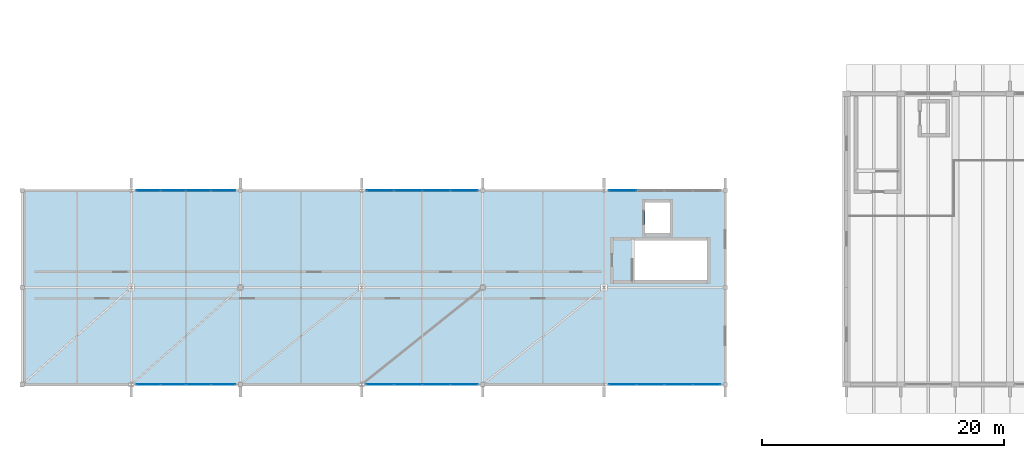
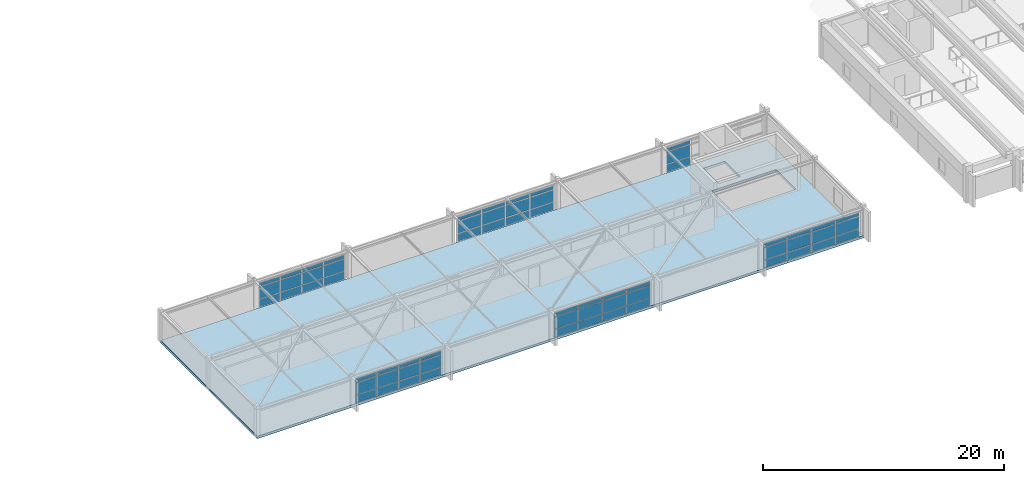
# One storey, part 41 of 83: 63 plates, 1 slab, 6 elements without a shape of their own.
"""IFC4 building model written with IfcOpenShell, lengths in metres."""

from ifc_helpers import new_model, si_unit, direction, frame, origin, origin_2d, place, context, subcontext, project, spatial, polyline, rectangle, outline, extrude, material, layer, layer_set, type_object, element, aggregate, save


model = new_model("IFC4")

# Units and contexts
model_context = context("Model", 3, precision=1e-05, world=origin(), true_north=direction((0.0, 1.0)))
body_context = subcontext(model_context, "Body", "Model", "MODEL_VIEW")
ifc_project = project(units=[si_unit("LENGTHUNIT", "METRE"), si_unit("AREAUNIT", "SQUARE_METRE"), si_unit("VOLUMEUNIT", "CUBIC_METRE"), si_unit("PLANEANGLEUNIT", "RADIAN"), si_unit("MASSUNIT", "GRAM", prefix="KILO")], contexts=[model_context])

# Site, building, storey
site_placement = place(None, origin())
site = spatial("IfcSite", under=ifc_project, at=site_placement, CompositionType="ELEMENT")
building_placement = place(site_placement, origin())
building = spatial("IfcBuilding", under=site, at=building_placement, Name="Zimvara Arc Housing Community", CompositionType="ELEMENT")
storey_placement = place(building_placement, frame((0.0, 0.0, 4.5)))
storey = spatial("IfcBuildingStorey", under=building, at=storey_placement, Name="L01", CompositionType="ELEMENT", Elevation=4.5)

# Curtain wall, plates
ifc_material_1 = material(Name="Anodised Aluminium AW-6063", Category="aluminium")
curtain_wall_type_1 = type_object("IfcCurtainWallType", Name="CW-SYS-08", PredefinedType="USERDEFINED", material=ifc_material_1)
curtain_wall_1_placement = place(storey_placement, origin())
curtain_wall_1 = element("IfcCurtainWall", 1, at=curtain_wall_1_placement, inside=storey, type_object=curtain_wall_type_1, Name="cw:shops:L01:south:b3", ObjectType="CURTAIN WALL", PredefinedType="USERDEFINED")
ifc_material_2 = material(Name="Pale-Gold Anodised Aluminium Spandrel Panel", Category="aluminium")
ifc_layer_1 = layer(ifc_material_2, 0.035888671875)
ifc_layer_set_1 = layer_set([ifc_layer_1], Name="Pale-Gold Anodised Aluminium Spandrel Panel")
plate_type_1 = type_object("IfcPlateType", Name="CWP-GLD-36", PredefinedType="CURTAIN_PANEL", material=ifc_layer_set_1)
plate_1_placement = place(storey_placement, frame((29.5361328125, 3.60009765625, 0.06494140625), z_axis=(0.0, 0.0, 1.0), x_axis=(1.0, 0.0, 0.0)))
plate_1 = element("IfcPlate", 2, at=plate_1_placement, type_object=plate_type_1, Name="CW08 panel 1.1", PredefinedType="CURTAIN_PANEL", context=body_context, shape_type="SweptSolid", body=[
    extrude(rectangle(XDim=2.222412109375, YDim=0.035888671875, at=origin_2d()), origin(), (0.0, 0.0, 1.0), 0.75244140625),
])
plate_2_placement = place(storey_placement, frame((29.5361328125, 3.60009765625, 0.882568359375), z_axis=(0.0, 0.0, 1.0), x_axis=(1.0, 0.0, 0.0)))
plate_2 = element("IfcPlate", 3, at=plate_2_placement, type_object=plate_type_1, Name="CW08 panel 1.2", PredefinedType="CURTAIN_PANEL", context=body_context, shape_type="SweptSolid", body=[
    extrude(rectangle(XDim=2.222412109375, YDim=0.035888671875, at=origin_2d()), origin(), (0.0, 0.0, 1.0), 1.18505859375),
])
plate_3_placement = place(storey_placement, frame((29.5361328125, 3.60009765625, 2.132568359375), z_axis=(0.0, 0.0, 1.0), x_axis=(1.0, 0.0, 0.0)))
plate_3 = element("IfcPlate", 4, at=plate_3_placement, type_object=plate_type_1, Name="CW08 panel 1.3", PredefinedType="CURTAIN_PANEL", context=body_context, shape_type="SweptSolid", body=[
    extrude(rectangle(XDim=2.222412109375, YDim=0.035888671875, at=origin_2d()), origin(), (0.0, 0.0, 1.0), 0.3525390625),
])
plate_4_placement = place(storey_placement, frame((31.840087890625, 3.60009765625, 0.06494140625), z_axis=(0.0, 0.0, 1.0), x_axis=(1.0, 0.0, 0.0)))
plate_4 = element("IfcPlate", 5, at=plate_4_placement, type_object=plate_type_1, Name="CW08 panel 2.1", PredefinedType="CURTAIN_PANEL", context=body_context, shape_type="SweptSolid", body=[
    extrude(rectangle(XDim=2.2548828125, YDim=0.035888671875, at=origin_2d()), origin(), (0.0, 0.0, 1.0), 0.75244140625),
])
plate_5_placement = place(storey_placement, frame((31.840087890625, 3.60009765625, 0.882568359375), z_axis=(0.0, 0.0, 1.0), x_axis=(1.0, 0.0, 0.0)))
plate_5 = element("IfcPlate", 6, at=plate_5_placement, type_object=plate_type_1, Name="CW08 panel 2.2", PredefinedType="CURTAIN_PANEL", context=body_context, shape_type="SweptSolid", body=[
    extrude(rectangle(XDim=2.2548828125, YDim=0.035888671875, at=origin_2d()), origin(), (0.0, 0.0, 1.0), 1.18505859375),
])
plate_6_placement = place(storey_placement, frame((31.840087890625, 3.60009765625, 2.132568359375), z_axis=(0.0, 0.0, 1.0), x_axis=(1.0, 0.0, 0.0)))
plate_6 = element("IfcPlate", 7, at=plate_6_placement, type_object=plate_type_1, Name="CW08 panel 2.3", PredefinedType="CURTAIN_PANEL", context=body_context, shape_type="SweptSolid", body=[
    extrude(rectangle(XDim=2.2548828125, YDim=0.035888671875, at=origin_2d()), origin(), (0.0, 0.0, 1.0), 0.3525390625),
])
plate_7_placement = place(storey_placement, frame((34.159912109375, 3.60009765625, 0.06494140625), z_axis=(0.0, 0.0, 1.0), x_axis=(1.0, 0.0, 0.0)))
plate_7 = element("IfcPlate", 8, at=plate_7_placement, type_object=plate_type_1, Name="CW08 panel 3.1", PredefinedType="CURTAIN_PANEL", context=body_context, shape_type="SweptSolid", body=[
    extrude(rectangle(XDim=2.2548828125, YDim=0.035888671875, at=origin_2d()), origin(), (0.0, 0.0, 1.0), 0.75244140625),
])
plate_8_placement = place(storey_placement, frame((34.159912109375, 3.60009765625, 0.882568359375), z_axis=(0.0, 0.0, 1.0), x_axis=(1.0, 0.0, 0.0)))
plate_8 = element("IfcPlate", 9, at=plate_8_placement, type_object=plate_type_1, Name="CW08 panel 3.2", PredefinedType="CURTAIN_PANEL", context=body_context, shape_type="SweptSolid", body=[
    extrude(rectangle(XDim=2.2548828125, YDim=0.035888671875, at=origin_2d()), origin(), (0.0, 0.0, 1.0), 1.18505859375),
])
plate_9_placement = place(storey_placement, frame((34.159912109375, 3.60009765625, 2.132568359375), z_axis=(0.0, 0.0, 1.0), x_axis=(1.0, 0.0, 0.0)))
plate_9 = element("IfcPlate", 10, at=plate_9_placement, type_object=plate_type_1, Name="CW08 panel 3.3", PredefinedType="CURTAIN_PANEL", context=body_context, shape_type="SweptSolid", body=[
    extrude(rectangle(XDim=2.2548828125, YDim=0.035888671875, at=origin_2d()), origin(), (0.0, 0.0, 1.0), 0.3525390625),
])
plate_10_placement = place(storey_placement, frame((36.4638671875, 3.60009765625, 0.06494140625), z_axis=(0.0, 0.0, 1.0), x_axis=(1.0, 0.0, 0.0)))
plate_10 = element("IfcPlate", 11, at=plate_10_placement, type_object=plate_type_1, Name="CW08 panel 4.1", PredefinedType="CURTAIN_PANEL", context=body_context, shape_type="SweptSolid", body=[
    extrude(rectangle(XDim=2.222412109375, YDim=0.035888671875, at=origin_2d()), origin(), (0.0, 0.0, 1.0), 0.75244140625),
])
plate_11_placement = place(storey_placement, frame((36.4638671875, 3.60009765625, 0.882568359375), z_axis=(0.0, 0.0, 1.0), x_axis=(1.0, 0.0, 0.0)))
plate_11 = element("IfcPlate", 12, at=plate_11_placement, type_object=plate_type_1, Name="CW08 panel 4.2", PredefinedType="CURTAIN_PANEL", context=body_context, shape_type="SweptSolid", body=[
    extrude(rectangle(XDim=2.222412109375, YDim=0.035888671875, at=origin_2d()), origin(), (0.0, 0.0, 1.0), 1.18505859375),
])
plate_12_placement = place(storey_placement, frame((36.4638671875, 3.60009765625, 2.132568359375), z_axis=(0.0, 0.0, 1.0), x_axis=(1.0, 0.0, 0.0)))
plate_12 = element("IfcPlate", 13, at=plate_12_placement, type_object=plate_type_1, Name="CW08 panel 4.3", PredefinedType="CURTAIN_PANEL", context=body_context, shape_type="SweptSolid", body=[
    extrude(rectangle(XDim=2.222412109375, YDim=0.035888671875, at=origin_2d()), origin(), (0.0, 0.0, 1.0), 0.3525390625),
])
aggregate(curtain_wall_1, [plate_1, plate_2, plate_3, plate_4, plate_5, plate_6, plate_7, plate_8, plate_9, plate_10, plate_11, plate_12])

ifc_material_3 = material(Name="Anodised Aluminium AW-6063", Category="aluminium")
curtain_wall_type_2 = type_object("IfcCurtainWallType", Name="CW-SYS-04", PredefinedType="USERDEFINED", material=ifc_material_3)
curtain_wall_2_placement = place(storey_placement, origin())
curtain_wall_2 = element("IfcCurtainWall", 14, at=curtain_wall_2_placement, inside=storey, type_object=curtain_wall_type_2, Name="cw:shops:L01:north:b5", ObjectType="CURTAIN WALL", PredefinedType="USERDEFINED")
plate_13_placement = place(storey_placement, frame((49.5361328125, 19.60009765625, 0.06494140625), z_axis=(0.0, 0.0, 1.0), x_axis=(1.0, 0.0, 0.0)))
plate_13 = element("IfcPlate", 15, at=plate_13_placement, type_object=plate_type_1, Name="CW04 panel 1.1", PredefinedType="CURTAIN_PANEL", context=body_context, shape_type="SweptSolid", body=[
    extrude(rectangle(XDim=2.222412109375, YDim=0.035888671875, at=origin_2d()), origin(), (0.0, 0.0, 1.0), 0.75244140625),
])
plate_14_placement = place(storey_placement, frame((49.5361328125, 19.60009765625, 0.882568359375), z_axis=(0.0, 0.0, 1.0), x_axis=(1.0, 0.0, 0.0)))
plate_14 = element("IfcPlate", 16, at=plate_14_placement, type_object=plate_type_1, Name="CW04 panel 1.2", PredefinedType="CURTAIN_PANEL", context=body_context, shape_type="SweptSolid", body=[
    extrude(rectangle(XDim=2.222412109375, YDim=0.035888671875, at=origin_2d()), origin(), (0.0, 0.0, 1.0), 1.18505859375),
])
plate_15_placement = place(storey_placement, frame((49.5361328125, 19.60009765625, 2.132568359375), z_axis=(0.0, 0.0, 1.0), x_axis=(1.0, 0.0, 0.0)))
plate_15 = element("IfcPlate", 17, at=plate_15_placement, type_object=plate_type_1, Name="CW04 panel 1.3", PredefinedType="CURTAIN_PANEL", context=body_context, shape_type="SweptSolid", body=[
    extrude(rectangle(XDim=2.222412109375, YDim=0.035888671875, at=origin_2d()), origin(), (0.0, 0.0, 1.0), 0.3525390625),
])
aggregate(curtain_wall_2, [plate_13, plate_14, plate_15])

ifc_material_4 = material(Name="Anodised Aluminium AW-6063", Category="aluminium")
curtain_wall_type_3 = type_object("IfcCurtainWallType", Name="CW-SYS-01", PredefinedType="USERDEFINED", material=ifc_material_4)
curtain_wall_3_placement = place(storey_placement, origin())
curtain_wall_3 = element("IfcCurtainWall", 18, at=curtain_wall_3_placement, inside=storey, type_object=curtain_wall_type_3, Name="cw:shops:L01:south:b5", ObjectType="CURTAIN WALL", PredefinedType="USERDEFINED")
ifc_material_5 = material(Name="Solar Control Low-E Double Glazing", Category="glass")
ifc_layer_2 = layer(ifc_material_5, 0.02392578125)
ifc_layer_set_2 = layer_set([ifc_layer_2], Name="Solar Control Low-E Double Glazing")
plate_type_2 = type_object("IfcPlateType", Name="CWP-GLZ-24", PredefinedType="CURTAIN_PANEL", material=ifc_layer_set_2)
plate_16_placement = place(storey_placement, frame((49.5361328125, 3.60009765625, 0.06494140625), z_axis=(0.0, 0.0, 1.0), x_axis=(1.0, 0.0, 0.0)))
plate_16 = element("IfcPlate", 19, at=plate_16_placement, type_object=plate_type_2, Name="CW01 panel 1.1", PredefinedType="CURTAIN_PANEL", context=body_context, shape_type="SweptSolid", body=[
    extrude(rectangle(XDim=2.222412109375, YDim=0.02392578125, at=origin_2d()), origin(), (0.0, 0.0, 1.0), 0.75244140625),
])
plate_17_placement = place(storey_placement, frame((49.5361328125, 3.60009765625, 0.882568359375), z_axis=(0.0, 0.0, 1.0), x_axis=(1.0, 0.0, 0.0)))
plate_17 = element("IfcPlate", 20, at=plate_17_placement, type_object=plate_type_2, Name="CW01 panel 1.2", PredefinedType="CURTAIN_PANEL", context=body_context, shape_type="SweptSolid", body=[
    extrude(rectangle(XDim=2.222412109375, YDim=0.02392578125, at=origin_2d()), origin(), (0.0, 0.0, 1.0), 1.18505859375),
])
plate_18_placement = place(storey_placement, frame((49.5361328125, 3.60009765625, 2.132568359375), z_axis=(0.0, 0.0, 1.0), x_axis=(1.0, 0.0, 0.0)))
plate_18 = element("IfcPlate", 21, at=plate_18_placement, type_object=plate_type_2, Name="CW01 panel 1.3", PredefinedType="CURTAIN_PANEL", context=body_context, shape_type="SweptSolid", body=[
    extrude(rectangle(XDim=2.222412109375, YDim=0.02392578125, at=origin_2d()), origin(), (0.0, 0.0, 1.0), 0.3525390625),
])
plate_19_placement = place(storey_placement, frame((51.840087890625, 3.60009765625, 0.06494140625), z_axis=(0.0, 0.0, 1.0), x_axis=(1.0, 0.0, 0.0)))
plate_19 = element("IfcPlate", 22, at=plate_19_placement, type_object=plate_type_2, Name="CW01 panel 2.1", PredefinedType="CURTAIN_PANEL", context=body_context, shape_type="SweptSolid", body=[
    extrude(rectangle(XDim=2.2548828125, YDim=0.02392578125, at=origin_2d()), origin(), (0.0, 0.0, 1.0), 0.75244140625),
])
plate_20_placement = place(storey_placement, frame((51.840087890625, 3.60009765625, 0.882568359375), z_axis=(0.0, 0.0, 1.0), x_axis=(1.0, 0.0, 0.0)))
plate_20 = element("IfcPlate", 23, at=plate_20_placement, type_object=plate_type_2, Name="CW01 panel 2.2", PredefinedType="CURTAIN_PANEL", context=body_context, shape_type="SweptSolid", body=[
    extrude(rectangle(XDim=2.2548828125, YDim=0.02392578125, at=origin_2d()), origin(), (0.0, 0.0, 1.0), 1.18505859375),
])
plate_21_placement = place(storey_placement, frame((51.840087890625, 3.60009765625, 2.132568359375), z_axis=(0.0, 0.0, 1.0), x_axis=(1.0, 0.0, 0.0)))
plate_21 = element("IfcPlate", 24, at=plate_21_placement, type_object=plate_type_2, Name="CW01 panel 2.3", PredefinedType="CURTAIN_PANEL", context=body_context, shape_type="SweptSolid", body=[
    extrude(rectangle(XDim=2.2548828125, YDim=0.02392578125, at=origin_2d()), origin(), (0.0, 0.0, 1.0), 0.3525390625),
])
plate_22_placement = place(storey_placement, frame((54.159912109375, 3.60009765625, 0.06494140625), z_axis=(0.0, 0.0, 1.0), x_axis=(1.0, 0.0, 0.0)))
plate_22 = element("IfcPlate", 25, at=plate_22_placement, type_object=plate_type_2, Name="CW01 panel 3.1", PredefinedType="CURTAIN_PANEL", context=body_context, shape_type="SweptSolid", body=[
    extrude(rectangle(XDim=2.2548828125, YDim=0.02392578125, at=origin_2d()), origin(), (0.0, 0.0, 1.0), 0.75244140625),
])
plate_23_placement = place(storey_placement, frame((54.159912109375, 3.60009765625, 0.882568359375), z_axis=(0.0, 0.0, 1.0), x_axis=(1.0, 0.0, 0.0)))
plate_23 = element("IfcPlate", 26, at=plate_23_placement, type_object=plate_type_2, Name="CW01 panel 3.2", PredefinedType="CURTAIN_PANEL", context=body_context, shape_type="SweptSolid", body=[
    extrude(rectangle(XDim=2.2548828125, YDim=0.02392578125, at=origin_2d()), origin(), (0.0, 0.0, 1.0), 1.18505859375),
])
plate_24_placement = place(storey_placement, frame((54.159912109375, 3.60009765625, 2.132568359375), z_axis=(0.0, 0.0, 1.0), x_axis=(1.0, 0.0, 0.0)))
plate_24 = element("IfcPlate", 27, at=plate_24_placement, type_object=plate_type_2, Name="CW01 panel 3.3", PredefinedType="CURTAIN_PANEL", context=body_context, shape_type="SweptSolid", body=[
    extrude(rectangle(XDim=2.2548828125, YDim=0.02392578125, at=origin_2d()), origin(), (0.0, 0.0, 1.0), 0.3525390625),
])
plate_25_placement = place(storey_placement, frame((56.4638671875, 3.60009765625, 0.06494140625), z_axis=(0.0, 0.0, 1.0), x_axis=(1.0, 0.0, 0.0)))
plate_25 = element("IfcPlate", 28, at=plate_25_placement, type_object=plate_type_2, Name="CW01 panel 4.1", PredefinedType="CURTAIN_PANEL", context=body_context, shape_type="SweptSolid", body=[
    extrude(rectangle(XDim=2.222412109375, YDim=0.02392578125, at=origin_2d()), origin(), (0.0, 0.0, 1.0), 0.75244140625),
])
plate_26_placement = place(storey_placement, frame((56.4638671875, 3.60009765625, 0.882568359375), z_axis=(0.0, 0.0, 1.0), x_axis=(1.0, 0.0, 0.0)))
plate_26 = element("IfcPlate", 29, at=plate_26_placement, type_object=plate_type_2, Name="CW01 panel 4.2", PredefinedType="CURTAIN_PANEL", context=body_context, shape_type="SweptSolid", body=[
    extrude(rectangle(XDim=2.222412109375, YDim=0.02392578125, at=origin_2d()), origin(), (0.0, 0.0, 1.0), 1.18505859375),
])
plate_27_placement = place(storey_placement, frame((56.4638671875, 3.60009765625, 2.132568359375), z_axis=(0.0, 0.0, 1.0), x_axis=(1.0, 0.0, 0.0)))
plate_27 = element("IfcPlate", 30, at=plate_27_placement, type_object=plate_type_2, Name="CW01 panel 4.3", PredefinedType="CURTAIN_PANEL", context=body_context, shape_type="SweptSolid", body=[
    extrude(rectangle(XDim=2.222412109375, YDim=0.02392578125, at=origin_2d()), origin(), (0.0, 0.0, 1.0), 0.3525390625),
])
aggregate(curtain_wall_3, [plate_16, plate_17, plate_18, plate_19, plate_20, plate_21, plate_22, plate_23, plate_24, plate_25, plate_26, plate_27])

ifc_material_6 = material(Name="Anodised Aluminium AW-6063", Category="aluminium")
curtain_wall_type_4 = type_object("IfcCurtainWallType", Name="CW-SYS-02", PredefinedType="USERDEFINED", material=ifc_material_6)
curtain_wall_4_placement = place(storey_placement, origin())
curtain_wall_4 = element("IfcCurtainWall", 31, at=curtain_wall_4_placement, inside=storey, type_object=curtain_wall_type_4, Name="cw:shops:L01:north:b1", ObjectType="CURTAIN WALL", PredefinedType="USERDEFINED")
ifc_material_7 = material(Name="Solar Control Low-E Double Glazing", Category="glass")
ifc_layer_3 = layer(ifc_material_7, 0.028076171875)
ifc_layer_set_3 = layer_set([ifc_layer_3], Name="Solar Control Low-E Double Glazing")
plate_type_3 = type_object("IfcPlateType", Name="CWP-GLZ-28", PredefinedType="CURTAIN_PANEL", material=ifc_layer_set_3)
plate_28_placement = place(storey_placement, frame((10.4111328125, 19.60009765625, 0.06494140625), z_axis=(0.0, 0.0, 1.0), x_axis=(1.0, 0.0, 0.0)))
plate_28 = element("IfcPlate", 32, at=plate_28_placement, type_object=plate_type_3, Name="CW02 panel 1.1", PredefinedType="CURTAIN_PANEL", context=body_context, shape_type="SweptSolid", body=[
    extrude(rectangle(XDim=1.972412109375, YDim=0.028076171875, at=origin_2d()), origin(), (0.0, 0.0, 1.0), 0.75244140625),
])
plate_29_placement = place(storey_placement, frame((10.4111328125, 19.60009765625, 0.882568359375), z_axis=(0.0, 0.0, 1.0), x_axis=(1.0, 0.0, 0.0)))
plate_29 = element("IfcPlate", 33, at=plate_29_placement, type_object=plate_type_3, Name="CW02 panel 1.2", PredefinedType="CURTAIN_PANEL", context=body_context, shape_type="SweptSolid", body=[
    extrude(rectangle(XDim=1.972412109375, YDim=0.028076171875, at=origin_2d()), origin(), (0.0, 0.0, 1.0), 1.18505859375),
])
plate_30_placement = place(storey_placement, frame((10.4111328125, 19.60009765625, 2.132568359375), z_axis=(0.0, 0.0, 1.0), x_axis=(1.0, 0.0, 0.0)))
plate_30 = element("IfcPlate", 34, at=plate_30_placement, type_object=plate_type_3, Name="CW02 panel 1.3", PredefinedType="CURTAIN_PANEL", context=body_context, shape_type="SweptSolid", body=[
    extrude(rectangle(XDim=1.972412109375, YDim=0.028076171875, at=origin_2d()), origin(), (0.0, 0.0, 1.0), 0.3525390625),
])
plate_31_placement = place(storey_placement, frame((12.465087890625, 19.60009765625, 0.06494140625), z_axis=(0.0, 0.0, 1.0), x_axis=(1.0, 0.0, 0.0)))
plate_31 = element("IfcPlate", 35, at=plate_31_placement, type_object=plate_type_3, Name="CW02 panel 2.1", PredefinedType="CURTAIN_PANEL", context=body_context, shape_type="SweptSolid", body=[
    extrude(rectangle(XDim=2.0048828125, YDim=0.028076171875, at=origin_2d()), origin(), (0.0, 0.0, 1.0), 0.75244140625),
])
plate_32_placement = place(storey_placement, frame((12.465087890625, 19.60009765625, 0.882568359375), z_axis=(0.0, 0.0, 1.0), x_axis=(1.0, 0.0, 0.0)))
plate_32 = element("IfcPlate", 36, at=plate_32_placement, type_object=plate_type_3, Name="CW02 panel 2.2", PredefinedType="CURTAIN_PANEL", context=body_context, shape_type="SweptSolid", body=[
    extrude(rectangle(XDim=2.0048828125, YDim=0.028076171875, at=origin_2d()), origin(), (0.0, 0.0, 1.0), 1.18505859375),
])
plate_33_placement = place(storey_placement, frame((12.465087890625, 19.60009765625, 2.132568359375), z_axis=(0.0, 0.0, 1.0), x_axis=(1.0, 0.0, 0.0)))
plate_33 = element("IfcPlate", 37, at=plate_33_placement, type_object=plate_type_3, Name="CW02 panel 2.3", PredefinedType="CURTAIN_PANEL", context=body_context, shape_type="SweptSolid", body=[
    extrude(rectangle(XDim=2.0048828125, YDim=0.028076171875, at=origin_2d()), origin(), (0.0, 0.0, 1.0), 0.3525390625),
])
plate_34_placement = place(storey_placement, frame((14.534912109375, 19.60009765625, 0.06494140625), z_axis=(0.0, 0.0, 1.0), x_axis=(1.0, 0.0, 0.0)))
plate_34 = element("IfcPlate", 38, at=plate_34_placement, type_object=plate_type_3, Name="CW02 panel 3.1", PredefinedType="CURTAIN_PANEL", context=body_context, shape_type="SweptSolid", body=[
    extrude(rectangle(XDim=2.0048828125, YDim=0.028076171875, at=origin_2d()), origin(), (0.0, 0.0, 1.0), 0.75244140625),
])
plate_35_placement = place(storey_placement, frame((14.534912109375, 19.60009765625, 0.882568359375), z_axis=(0.0, 0.0, 1.0), x_axis=(1.0, 0.0, 0.0)))
plate_35 = element("IfcPlate", 39, at=plate_35_placement, type_object=plate_type_3, Name="CW02 panel 3.2", PredefinedType="CURTAIN_PANEL", context=body_context, shape_type="SweptSolid", body=[
    extrude(rectangle(XDim=2.0048828125, YDim=0.028076171875, at=origin_2d()), origin(), (0.0, 0.0, 1.0), 1.18505859375),
])
plate_36_placement = place(storey_placement, frame((14.534912109375, 19.60009765625, 2.132568359375), z_axis=(0.0, 0.0, 1.0), x_axis=(1.0, 0.0, 0.0)))
plate_36 = element("IfcPlate", 40, at=plate_36_placement, type_object=plate_type_3, Name="CW02 panel 3.3", PredefinedType="CURTAIN_PANEL", context=body_context, shape_type="SweptSolid", body=[
    extrude(rectangle(XDim=2.0048828125, YDim=0.028076171875, at=origin_2d()), origin(), (0.0, 0.0, 1.0), 0.3525390625),
])
plate_37_placement = place(storey_placement, frame((16.5888671875, 19.60009765625, 0.06494140625), z_axis=(0.0, 0.0, 1.0), x_axis=(1.0, 0.0, 0.0)))
plate_37 = element("IfcPlate", 41, at=plate_37_placement, type_object=plate_type_3, Name="CW02 panel 4.1", PredefinedType="CURTAIN_PANEL", context=body_context, shape_type="SweptSolid", body=[
    extrude(rectangle(XDim=1.972412109375, YDim=0.028076171875, at=origin_2d()), origin(), (0.0, 0.0, 1.0), 0.75244140625),
])
plate_38_placement = place(storey_placement, frame((16.5888671875, 19.60009765625, 0.882568359375), z_axis=(0.0, 0.0, 1.0), x_axis=(1.0, 0.0, 0.0)))
plate_38 = element("IfcPlate", 42, at=plate_38_placement, type_object=plate_type_3, Name="CW02 panel 4.2", PredefinedType="CURTAIN_PANEL", context=body_context, shape_type="SweptSolid", body=[
    extrude(rectangle(XDim=1.972412109375, YDim=0.028076171875, at=origin_2d()), origin(), (0.0, 0.0, 1.0), 1.18505859375),
])
plate_39_placement = place(storey_placement, frame((16.5888671875, 19.60009765625, 2.132568359375), z_axis=(0.0, 0.0, 1.0), x_axis=(1.0, 0.0, 0.0)))
plate_39 = element("IfcPlate", 43, at=plate_39_placement, type_object=plate_type_3, Name="CW02 panel 4.3", PredefinedType="CURTAIN_PANEL", context=body_context, shape_type="SweptSolid", body=[
    extrude(rectangle(XDim=1.972412109375, YDim=0.028076171875, at=origin_2d()), origin(), (0.0, 0.0, 1.0), 0.3525390625),
])
aggregate(curtain_wall_4, [plate_28, plate_29, plate_30, plate_31, plate_32, plate_33, plate_34, plate_35, plate_36, plate_37, plate_38, plate_39])

ifc_material_8 = material(Name="Anodised Aluminium AW-6063", Category="aluminium")
curtain_wall_type_5 = type_object("IfcCurtainWallType", Name="CW-SYS-07", PredefinedType="USERDEFINED", material=ifc_material_8)
curtain_wall_5_placement = place(storey_placement, origin())
curtain_wall_5 = element("IfcCurtainWall", 44, at=curtain_wall_5_placement, inside=storey, type_object=curtain_wall_type_5, Name="cw:shops:L01:south:b1", ObjectType="CURTAIN WALL", PredefinedType="USERDEFINED")
ifc_material_9 = material(Name="Acoustic Laminated Solar Glazing", Category="glass")
ifc_layer_4 = layer(ifc_material_9, 0.031982421875)
ifc_layer_set_4 = layer_set([ifc_layer_4], Name="Acoustic Laminated Solar Glazing")
plate_type_4 = type_object("IfcPlateType", Name="CWP-GLZ-32", PredefinedType="CURTAIN_PANEL", material=ifc_layer_set_4)
plate_40_placement = place(storey_placement, frame((10.4111328125, 3.60009765625, 0.06494140625), z_axis=(0.0, 0.0, 1.0), x_axis=(1.0, 0.0, 0.0)))
plate_40 = element("IfcPlate", 45, at=plate_40_placement, type_object=plate_type_4, Name="CW07 panel 1.1", PredefinedType="CURTAIN_PANEL", context=body_context, shape_type="SweptSolid", body=[
    extrude(rectangle(XDim=1.972412109375, YDim=0.031982421875, at=origin_2d()), origin(), (0.0, 0.0, 1.0), 0.75244140625),
])
plate_41_placement = place(storey_placement, frame((10.4111328125, 3.60009765625, 0.882568359375), z_axis=(0.0, 0.0, 1.0), x_axis=(1.0, 0.0, 0.0)))
plate_41 = element("IfcPlate", 46, at=plate_41_placement, type_object=plate_type_4, Name="CW07 panel 1.2", PredefinedType="CURTAIN_PANEL", context=body_context, shape_type="SweptSolid", body=[
    extrude(rectangle(XDim=1.972412109375, YDim=0.031982421875, at=origin_2d()), origin(), (0.0, 0.0, 1.0), 1.18505859375),
])
plate_42_placement = place(storey_placement, frame((10.4111328125, 3.60009765625, 2.132568359375), z_axis=(0.0, 0.0, 1.0), x_axis=(1.0, 0.0, 0.0)))
plate_42 = element("IfcPlate", 47, at=plate_42_placement, type_object=plate_type_4, Name="CW07 panel 1.3", PredefinedType="CURTAIN_PANEL", context=body_context, shape_type="SweptSolid", body=[
    extrude(rectangle(XDim=1.972412109375, YDim=0.031982421875, at=origin_2d()), origin(), (0.0, 0.0, 1.0), 0.3525390625),
])
plate_43_placement = place(storey_placement, frame((12.465087890625, 3.60009765625, 0.06494140625), z_axis=(0.0, 0.0, 1.0), x_axis=(1.0, 0.0, 0.0)))
plate_43 = element("IfcPlate", 48, at=plate_43_placement, type_object=plate_type_4, Name="CW07 panel 2.1", PredefinedType="CURTAIN_PANEL", context=body_context, shape_type="SweptSolid", body=[
    extrude(rectangle(XDim=2.0048828125, YDim=0.031982421875, at=origin_2d()), origin(), (0.0, 0.0, 1.0), 0.75244140625),
])
plate_44_placement = place(storey_placement, frame((12.465087890625, 3.60009765625, 0.882568359375), z_axis=(0.0, 0.0, 1.0), x_axis=(1.0, 0.0, 0.0)))
plate_44 = element("IfcPlate", 49, at=plate_44_placement, type_object=plate_type_4, Name="CW07 panel 2.2", PredefinedType="CURTAIN_PANEL", context=body_context, shape_type="SweptSolid", body=[
    extrude(rectangle(XDim=2.0048828125, YDim=0.031982421875, at=origin_2d()), origin(), (0.0, 0.0, 1.0), 1.18505859375),
])
plate_45_placement = place(storey_placement, frame((12.465087890625, 3.60009765625, 2.132568359375), z_axis=(0.0, 0.0, 1.0), x_axis=(1.0, 0.0, 0.0)))
plate_45 = element("IfcPlate", 50, at=plate_45_placement, type_object=plate_type_4, Name="CW07 panel 2.3", PredefinedType="CURTAIN_PANEL", context=body_context, shape_type="SweptSolid", body=[
    extrude(rectangle(XDim=2.0048828125, YDim=0.031982421875, at=origin_2d()), origin(), (0.0, 0.0, 1.0), 0.3525390625),
])
plate_46_placement = place(storey_placement, frame((14.534912109375, 3.60009765625, 0.06494140625), z_axis=(0.0, 0.0, 1.0), x_axis=(1.0, 0.0, 0.0)))
plate_46 = element("IfcPlate", 51, at=plate_46_placement, type_object=plate_type_4, Name="CW07 panel 3.1", PredefinedType="CURTAIN_PANEL", context=body_context, shape_type="SweptSolid", body=[
    extrude(rectangle(XDim=2.0048828125, YDim=0.031982421875, at=origin_2d()), origin(), (0.0, 0.0, 1.0), 0.75244140625),
])
plate_47_placement = place(storey_placement, frame((14.534912109375, 3.60009765625, 0.882568359375), z_axis=(0.0, 0.0, 1.0), x_axis=(1.0, 0.0, 0.0)))
plate_47 = element("IfcPlate", 52, at=plate_47_placement, type_object=plate_type_4, Name="CW07 panel 3.2", PredefinedType="CURTAIN_PANEL", context=body_context, shape_type="SweptSolid", body=[
    extrude(rectangle(XDim=2.0048828125, YDim=0.031982421875, at=origin_2d()), origin(), (0.0, 0.0, 1.0), 1.18505859375),
])
plate_48_placement = place(storey_placement, frame((14.534912109375, 3.60009765625, 2.132568359375), z_axis=(0.0, 0.0, 1.0), x_axis=(1.0, 0.0, 0.0)))
plate_48 = element("IfcPlate", 53, at=plate_48_placement, type_object=plate_type_4, Name="CW07 panel 3.3", PredefinedType="CURTAIN_PANEL", context=body_context, shape_type="SweptSolid", body=[
    extrude(rectangle(XDim=2.0048828125, YDim=0.031982421875, at=origin_2d()), origin(), (0.0, 0.0, 1.0), 0.3525390625),
])
plate_49_placement = place(storey_placement, frame((16.5888671875, 3.60009765625, 0.06494140625), z_axis=(0.0, 0.0, 1.0), x_axis=(1.0, 0.0, 0.0)))
plate_49 = element("IfcPlate", 54, at=plate_49_placement, type_object=plate_type_4, Name="CW07 panel 4.1", PredefinedType="CURTAIN_PANEL", context=body_context, shape_type="SweptSolid", body=[
    extrude(rectangle(XDim=1.972412109375, YDim=0.031982421875, at=origin_2d()), origin(), (0.0, 0.0, 1.0), 0.75244140625),
])
plate_50_placement = place(storey_placement, frame((16.5888671875, 3.60009765625, 0.882568359375), z_axis=(0.0, 0.0, 1.0), x_axis=(1.0, 0.0, 0.0)))
plate_50 = element("IfcPlate", 55, at=plate_50_placement, type_object=plate_type_4, Name="CW07 panel 4.2", PredefinedType="CURTAIN_PANEL", context=body_context, shape_type="SweptSolid", body=[
    extrude(rectangle(XDim=1.972412109375, YDim=0.031982421875, at=origin_2d()), origin(), (0.0, 0.0, 1.0), 1.18505859375),
])
plate_51_placement = place(storey_placement, frame((16.5888671875, 3.60009765625, 2.132568359375), z_axis=(0.0, 0.0, 1.0), x_axis=(1.0, 0.0, 0.0)))
plate_51 = element("IfcPlate", 56, at=plate_51_placement, type_object=plate_type_4, Name="CW07 panel 4.3", PredefinedType="CURTAIN_PANEL", context=body_context, shape_type="SweptSolid", body=[
    extrude(rectangle(XDim=1.972412109375, YDim=0.031982421875, at=origin_2d()), origin(), (0.0, 0.0, 1.0), 0.3525390625),
])
aggregate(curtain_wall_5, [plate_40, plate_41, plate_42, plate_43, plate_44, plate_45, plate_46, plate_47, plate_48, plate_49, plate_50, plate_51])

ifc_material_10 = material(Name="Anodised Aluminium AW-6063", Category="aluminium")
curtain_wall_type_6 = type_object("IfcCurtainWallType", Name="CW-SYS-03", PredefinedType="USERDEFINED", material=ifc_material_10)
curtain_wall_6_placement = place(storey_placement, origin())
curtain_wall_6 = element("IfcCurtainWall", 57, at=curtain_wall_6_placement, inside=storey, type_object=curtain_wall_type_6, Name="cw:shops:L01:north:b3", ObjectType="CURTAIN WALL", PredefinedType="USERDEFINED")
plate_52_placement = place(storey_placement, frame((29.5361328125, 19.60009765625, 0.06494140625), z_axis=(0.0, 0.0, 1.0), x_axis=(1.0, 0.0, 0.0)))
plate_52 = element("IfcPlate", 58, at=plate_52_placement, type_object=plate_type_4, Name="CW03 panel 1.1", PredefinedType="CURTAIN_PANEL", context=body_context, shape_type="SweptSolid", body=[
    extrude(rectangle(XDim=2.222412109375, YDim=0.031982421875, at=origin_2d()), origin(), (0.0, 0.0, 1.0), 0.75244140625),
])
plate_53_placement = place(storey_placement, frame((29.5361328125, 19.60009765625, 0.882568359375), z_axis=(0.0, 0.0, 1.0), x_axis=(1.0, 0.0, 0.0)))
plate_53 = element("IfcPlate", 59, at=plate_53_placement, type_object=plate_type_4, Name="CW03 panel 1.2", PredefinedType="CURTAIN_PANEL", context=body_context, shape_type="SweptSolid", body=[
    extrude(rectangle(XDim=2.222412109375, YDim=0.031982421875, at=origin_2d()), origin(), (0.0, 0.0, 1.0), 1.18505859375),
])
plate_54_placement = place(storey_placement, frame((29.5361328125, 19.60009765625, 2.132568359375), z_axis=(0.0, 0.0, 1.0), x_axis=(1.0, 0.0, 0.0)))
plate_54 = element("IfcPlate", 60, at=plate_54_placement, type_object=plate_type_4, Name="CW03 panel 1.3", PredefinedType="CURTAIN_PANEL", context=body_context, shape_type="SweptSolid", body=[
    extrude(rectangle(XDim=2.222412109375, YDim=0.031982421875, at=origin_2d()), origin(), (0.0, 0.0, 1.0), 0.3525390625),
])
plate_55_placement = place(storey_placement, frame((31.840087890625, 19.60009765625, 0.06494140625), z_axis=(0.0, 0.0, 1.0), x_axis=(1.0, 0.0, 0.0)))
plate_55 = element("IfcPlate", 61, at=plate_55_placement, type_object=plate_type_4, Name="CW03 panel 2.1", PredefinedType="CURTAIN_PANEL", context=body_context, shape_type="SweptSolid", body=[
    extrude(rectangle(XDim=2.2548828125, YDim=0.031982421875, at=origin_2d()), origin(), (0.0, 0.0, 1.0), 0.75244140625),
])
plate_56_placement = place(storey_placement, frame((31.840087890625, 19.60009765625, 0.882568359375), z_axis=(0.0, 0.0, 1.0), x_axis=(1.0, 0.0, 0.0)))
plate_56 = element("IfcPlate", 62, at=plate_56_placement, type_object=plate_type_4, Name="CW03 panel 2.2", PredefinedType="CURTAIN_PANEL", context=body_context, shape_type="SweptSolid", body=[
    extrude(rectangle(XDim=2.2548828125, YDim=0.031982421875, at=origin_2d()), origin(), (0.0, 0.0, 1.0), 1.18505859375),
])
plate_57_placement = place(storey_placement, frame((31.840087890625, 19.60009765625, 2.132568359375), z_axis=(0.0, 0.0, 1.0), x_axis=(1.0, 0.0, 0.0)))
plate_57 = element("IfcPlate", 63, at=plate_57_placement, type_object=plate_type_4, Name="CW03 panel 2.3", PredefinedType="CURTAIN_PANEL", context=body_context, shape_type="SweptSolid", body=[
    extrude(rectangle(XDim=2.2548828125, YDim=0.031982421875, at=origin_2d()), origin(), (0.0, 0.0, 1.0), 0.3525390625),
])
plate_58_placement = place(storey_placement, frame((34.159912109375, 19.60009765625, 0.06494140625), z_axis=(0.0, 0.0, 1.0), x_axis=(1.0, 0.0, 0.0)))
plate_58 = element("IfcPlate", 64, at=plate_58_placement, type_object=plate_type_4, Name="CW03 panel 3.1", PredefinedType="CURTAIN_PANEL", context=body_context, shape_type="SweptSolid", body=[
    extrude(rectangle(XDim=2.2548828125, YDim=0.031982421875, at=origin_2d()), origin(), (0.0, 0.0, 1.0), 0.75244140625),
])
plate_59_placement = place(storey_placement, frame((34.159912109375, 19.60009765625, 0.882568359375), z_axis=(0.0, 0.0, 1.0), x_axis=(1.0, 0.0, 0.0)))
plate_59 = element("IfcPlate", 65, at=plate_59_placement, type_object=plate_type_4, Name="CW03 panel 3.2", PredefinedType="CURTAIN_PANEL", context=body_context, shape_type="SweptSolid", body=[
    extrude(rectangle(XDim=2.2548828125, YDim=0.031982421875, at=origin_2d()), origin(), (0.0, 0.0, 1.0), 1.18505859375),
])
plate_60_placement = place(storey_placement, frame((34.159912109375, 19.60009765625, 2.132568359375), z_axis=(0.0, 0.0, 1.0), x_axis=(1.0, 0.0, 0.0)))
plate_60 = element("IfcPlate", 66, at=plate_60_placement, type_object=plate_type_4, Name="CW03 panel 3.3", PredefinedType="CURTAIN_PANEL", context=body_context, shape_type="SweptSolid", body=[
    extrude(rectangle(XDim=2.2548828125, YDim=0.031982421875, at=origin_2d()), origin(), (0.0, 0.0, 1.0), 0.3525390625),
])
plate_61_placement = place(storey_placement, frame((36.4638671875, 19.60009765625, 0.06494140625), z_axis=(0.0, 0.0, 1.0), x_axis=(1.0, 0.0, 0.0)))
plate_61 = element("IfcPlate", 67, at=plate_61_placement, type_object=plate_type_4, Name="CW03 panel 4.1", PredefinedType="CURTAIN_PANEL", context=body_context, shape_type="SweptSolid", body=[
    extrude(rectangle(XDim=2.222412109375, YDim=0.031982421875, at=origin_2d()), origin(), (0.0, 0.0, 1.0), 0.75244140625),
])
plate_62_placement = place(storey_placement, frame((36.4638671875, 19.60009765625, 0.882568359375), z_axis=(0.0, 0.0, 1.0), x_axis=(1.0, 0.0, 0.0)))
plate_62 = element("IfcPlate", 68, at=plate_62_placement, type_object=plate_type_4, Name="CW03 panel 4.2", PredefinedType="CURTAIN_PANEL", context=body_context, shape_type="SweptSolid", body=[
    extrude(rectangle(XDim=2.222412109375, YDim=0.031982421875, at=origin_2d()), origin(), (0.0, 0.0, 1.0), 1.18505859375),
])
plate_63_placement = place(storey_placement, frame((36.4638671875, 19.60009765625, 2.132568359375), z_axis=(0.0, 0.0, 1.0), x_axis=(1.0, 0.0, 0.0)))
plate_63 = element("IfcPlate", 69, at=plate_63_placement, type_object=plate_type_4, Name="CW03 panel 4.3", PredefinedType="CURTAIN_PANEL", context=body_context, shape_type="SweptSolid", body=[
    extrude(rectangle(XDim=2.222412109375, YDim=0.031982421875, at=origin_2d()), origin(), (0.0, 0.0, 1.0), 0.3525390625),
])
aggregate(curtain_wall_6, [plate_52, plate_53, plate_54, plate_55, plate_56, plate_57, plate_58, plate_59, plate_60, plate_61, plate_62, plate_63])

# Slab
ifc_material_11 = material(Name="Concrete C35/45", Category="concrete")
ifc_layer_5 = layer(ifc_material_11, 0.2451171875)
ifc_layer_set_5 = layer_set([ifc_layer_5], Name="Concrete C35/45")
slab_type = type_object("IfcSlabType", Name="SLB-SHOP-245", PredefinedType="FLOOR", material=ifc_layer_set_5)
slab_placement = place(storey_placement, frame((0.0, 0.0, -0.2451171875)))
element("IfcSlab", 70, at=slab_placement, inside=storey, type_object=slab_type, Name="slab:shops:L01:floor", PredefinedType="FLOOR", context=body_context, shape_type="SweptSolid", body=[
    extrude(outline(polyline([(0.0, 3.60009765625), (58.0, 3.60009765625), (58.0, 19.60009765625), (0.0, 19.60009765625), (0.0, 3.60009765625)]), holes=[polyline([(50.3798828125, 15.47998046875), (56.5, 15.47998046875), (56.5, 12.199951171875), (50.3798828125, 12.199951171875), (50.3798828125, 15.47998046875)]), polyline([(51.39990234375, 18.639892578125), (53.43994140625, 18.639892578125), (53.43994140625, 16.10009765625), (51.39990234375, 16.10009765625), (51.39990234375, 18.639892578125)])]), origin(), (0.0, 0.0, 1.0), 0.2451171875),
])

save(model, "model.ifc")
